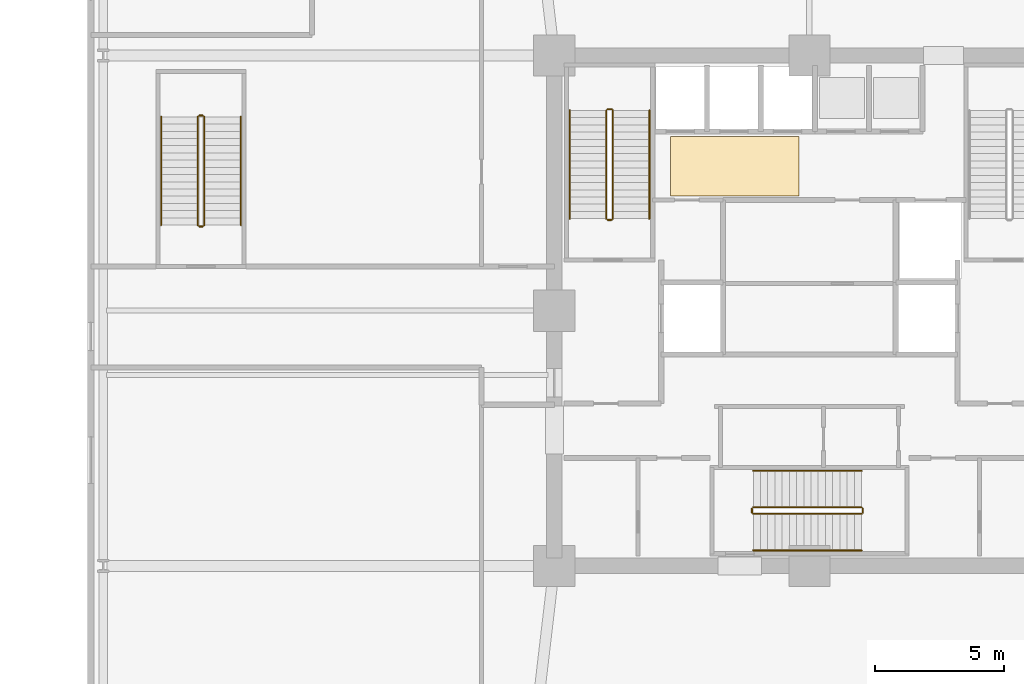
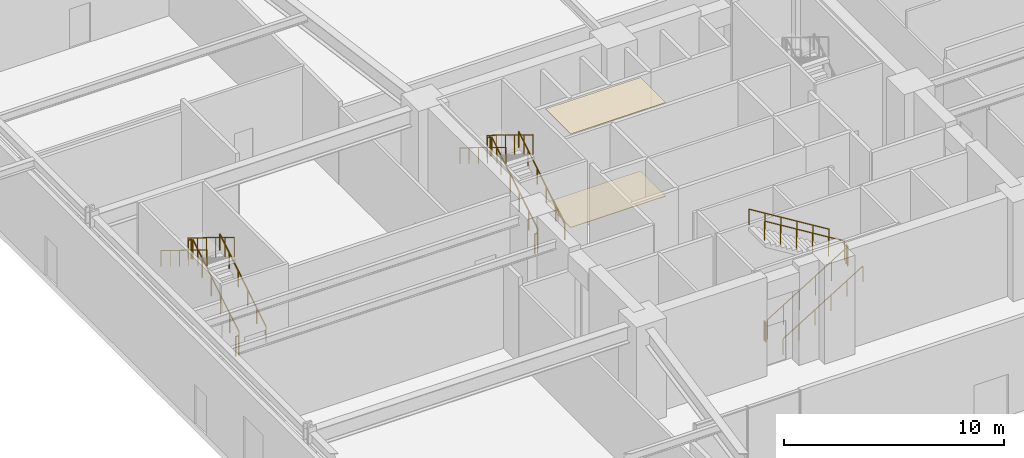
# One storey, part 22 of 24: 18 railings, 2 coverings.
"""IFC4 building model written with IfcOpenShell, lengths in metres."""

import ifcopenshell
import ifcopenshell.guid

model = None  # the IFC model being written
_history = None  # IfcOwnerHistory: only IFC2X3 demands one
_inside = {}  # id of a spatial element -> (the spatial element, [elements in it])
_under = {}  # id of a project, library or spatial element -> (it, [spatial elements below it])
_declared = {}  # id of a project -> (the project, [libraries it declares])
_typed = {}  # id of a type object -> (the type object, [elements of that type])
_made_of = {}  # id of a material, layer set ... -> (it, [elements and type objects made of it])


def new_model(schema):
    """Start an empty IFC model of exactly this schema.

    Asked for "IFC4X3", IfcOpenShell would pick the latest addendum, in which some entities
    have other attributes; the version numbers below select the first issue.
    IFC2X3 requires an IfcOwnerHistory on every rooted entity: one is made here for all.
    """
    global model, _history
    if schema == "IFC4X3":
        model = ifcopenshell.file(schema_version=(4, 3, 0, 0))
    else:
        model = ifcopenshell.file(schema=schema)
    _inside.clear()
    _under.clear()
    _declared.clear()
    _typed.clear()
    _made_of.clear()
    _history = None
    if model.schema == "IFC2X3":
        org = make("IfcOrganization", Name="unknown")
        user = make(
            "IfcPersonAndOrganization",
            ThePerson=make("IfcPerson", FamilyName="unknown"),
            TheOrganization=org,
        )
        app = make(
            "IfcApplication",
            ApplicationDeveloper=org,
            Version="unknown",
            ApplicationFullName="unknown",
            ApplicationIdentifier="unknown",
        )
        _history = make(
            "IfcOwnerHistory",
            OwningUser=user,
            OwningApplication=app,
            ChangeAction="ADDED",
            CreationDate=0,
        )
    return model


def make(cls, **values):
    """One entity of the class cls with the attributes given. An attribute that is None is left unset."""
    return model.create_entity(
        cls, **{name: value for name, value in values.items() if value is not None}
    )


def rooted(cls, **values):
    """An entity with a GlobalId (a new one), such as an element, a storey or a relation."""
    return make(cls, GlobalId=ifcopenshell.guid.new(), OwnerHistory=_history, **values)


def si_unit(unit_type, name, prefix=None):
    """IfcSIUnit, for example si_unit("LENGTHUNIT", "METRE", prefix="MILLI")."""
    return make("IfcSIUnit", UnitType=unit_type, Prefix=prefix, Name=name)


def assignment(units):
    """IfcUnitAssignment: the units of a project."""
    return None if units is None else make("IfcUnitAssignment", Units=units)


def point(xyz):
    """IfcCartesianPoint."""
    return None if xyz is None else make("IfcCartesianPoint", Coordinates=xyz)


def direction(xyz):
    """IfcDirection."""
    return None if xyz is None else make("IfcDirection", DirectionRatios=xyz)


def frame(location, z_axis=None, x_axis=None):
    """IfcAxis2Placement3D, a coordinate frame: its origin and axes. An axis left out is left unset."""
    return make(
        "IfcAxis2Placement3D",
        Location=point(location),
        Axis=direction(z_axis),
        RefDirection=direction(x_axis),
    )


def frame_2d(location, x_axis=None):
    """IfcAxis2Placement2D, a coordinate frame in the plane: its origin and x axis."""
    return make(
        "IfcAxis2Placement2D", Location=point(location), RefDirection=direction(x_axis)
    )


def origin():
    """The frame at (0, 0, 0) with its axes left unset."""
    return frame((0.0, 0.0, 0.0))


def origin_2d():
    """The frame at (0, 0) in the plane with its x axis left unset."""
    return frame_2d((0.0, 0.0))


def place(relative_to, where):
    """IfcLocalPlacement: puts the frame where relative to a parent placement (None: the world)."""
    return make(
        "IfcLocalPlacement", PlacementRelTo=relative_to, RelativePlacement=where
    )


def context(
    kind, dimensions, precision=None, world=None, true_north=None, identifier=None
):
    """IfcGeometricRepresentationContext, for example the 3D "Model" context."""
    return make(
        "IfcGeometricRepresentationContext",
        ContextIdentifier=identifier,
        ContextType=kind,
        CoordinateSpaceDimension=dimensions,
        Precision=precision,
        WorldCoordinateSystem=world,
        TrueNorth=true_north,
    )


def subcontext(parent, identifier, kind, view, scale=None):
    """IfcGeometricRepresentationSubContext, for example "Body" below "Model"."""
    return make(
        "IfcGeometricRepresentationSubContext",
        ContextIdentifier=identifier,
        ContextType=kind,
        ParentContext=parent,
        TargetScale=scale,
        TargetView=view,
    )


def project(units=None, contexts=None):
    """IfcProject with its units and contexts."""
    return rooted(
        "IfcProject",
        Name="project",
        RepresentationContexts=contexts,
        UnitsInContext=assignment(units),
    )


def spatial(cls, under=None, at=None, **own):
    """A site, building, storey or space (cls), placed at a placement, below another one or the project."""
    s = rooted(cls, ObjectPlacement=at, **own)
    if under is not None:
        _under.setdefault(under.id(), (under, []))[1].append(s)
    return s


def polyline(points):
    """IfcPolyline through the points."""
    return make("IfcPolyline", Points=[point(p) for p in points])


def profile(cls, at=None, kind="AREA", **sizes):
    """A parametric profile (cls). Its sizes go by their IFC names, for example OverallWidth=200.0."""
    return make(cls, ProfileType=kind, Position=at, **sizes)


def circle(**sizes):
    """IfcCircleProfileDef."""
    return profile("IfcCircleProfileDef", **sizes)


def outline(outer, holes=None, kind="AREA"):
    """IfcArbitraryClosedProfileDef: a profile drawn as a closed curve; with holes, ...WithVoids."""
    if holes is None:
        return make("IfcArbitraryClosedProfileDef", ProfileType=kind, OuterCurve=outer)
    return make(
        "IfcArbitraryProfileDefWithVoids",
        ProfileType=kind,
        OuterCurve=outer,
        InnerCurves=holes,
    )


def extrude(swept, where, along, depth):
    """IfcExtrudedAreaSolid: the profile swept, set in the frame where, extruded along a direction by depth."""
    return make(
        "IfcExtrudedAreaSolid",
        SweptArea=swept,
        Position=where,
        ExtrudedDirection=direction(along),
        Depth=depth,
    )


def shape(context_of_items, identifier, shape_type, items):
    """IfcShapeRepresentation: the items that make up one representation, for example the "Body"."""
    return make(
        "IfcShapeRepresentation",
        ContextOfItems=context_of_items,
        RepresentationIdentifier=identifier,
        RepresentationType=shape_type,
        Items=items,
    )


def material(Name=None, Category=None):
    """IfcMaterial."""
    return make("IfcMaterial", Name=Name, Category=Category)


def layer(
    of_material, thickness, ventilated=None, Name=None, Category=None, Priority=None
):
    """IfcMaterialLayer: one layer of a wall or slab, of a material (None: an air gap)."""
    return make(
        "IfcMaterialLayer",
        Material=of_material,
        LayerThickness=thickness,
        IsVentilated=ventilated,
        Name=Name,
        Category=Category,
        Priority=Priority,
    )


def layer_set(layers, Name=None):
    """IfcMaterialLayerSet."""
    return make("IfcMaterialLayerSet", MaterialLayers=layers, LayerSetName=Name)


def made_of(thing, what):
    """Note that an element or type object is made of a material, layer set ...; save() writes the relation."""
    if what is not None:
        _made_of.setdefault(what.id(), (what, []))[1].append(thing)
    return thing


def type_object(cls, material=None, **own):
    """A type object (cls), such as IfcWallType, which elements share."""
    return made_of(rooted(cls, **own), material)


def element(
    cls,
    number,
    at=None,
    inside=None,
    cuts=None,
    type_object=None,
    material=None,
    context=None,
    identifier="Body",
    shape_type=None,
    held_by="IfcProductDefinitionShape",
    body=None,
    shapes=None,
    **own,
):
    """One element of the class cls, such as IfcWall. Its Tag is "e" and its number.

    at: its placement. inside: the storey or other place that contains it. cuts: it is an
    opening in that element (IfcRelVoidsElement). A single representation is given by context,
    identifier, shape_type and body (its items); several are given by shapes. held_by: the class
    of the entity that holds the representations. save() writes the other relations.
    """
    e = rooted(cls, Tag="e%d" % number, ObjectPlacement=at, **own)
    if body is not None:
        shapes = [shape(context, identifier, shape_type, body)]
    if shapes is not None:
        e.Representation = make(held_by, Representations=shapes)
    if inside is not None:
        _inside.setdefault(inside.id(), (inside, []))[1].append(e)
    if cuts is not None:
        rooted(
            "IfcRelVoidsElement", RelatingBuildingElement=cuts, RelatedOpeningElement=e
        )
    if type_object is not None:
        _typed.setdefault(type_object.id(), (type_object, []))[1].append(e)
    return made_of(e, material)


def aggregate(whole, parts):
    """IfcRelAggregates: a whole, such as a stair, and the parts it consists of."""
    return rooted("IfcRelAggregates", RelatingObject=whole, RelatedObjects=parts)


def save(model, path):
    """Write the relations noted so far, then the file.

    IfcRelAggregates (storeys below a building ...), IfcRelContainedInSpatialStructure (elements
    in a storey), IfcRelDefinesByType, IfcRelAssociatesMaterial and IfcRelDeclares: one each for
    every whole, place, type object, material and project.
    """
    for whole, parts in _under.values():
        aggregate(whole, parts)
    for where, things in _inside.values():
        rooted(
            "IfcRelContainedInSpatialStructure",
            RelatedElements=things,
            RelatingStructure=where,
        )
    for kind, things in _typed.values():
        rooted("IfcRelDefinesByType", RelatedObjects=things, RelatingType=kind)
    for what, things in _made_of.values():
        rooted("IfcRelAssociatesMaterial", RelatedObjects=things, RelatingMaterial=what)
    for by, libraries in _declared.values():
        rooted("IfcRelDeclares", RelatingContext=by, RelatedDefinitions=libraries)
    model.write(path)


model = new_model("IFC4")

# Units and contexts
model_context = context("Model", 3, precision=1e-05, world=origin(), true_north=direction((0.0, 1.0)))
body_context = subcontext(model_context, "Body", "Model", "MODEL_VIEW")
ifc_project = project(units=[si_unit("LENGTHUNIT", "METRE"), si_unit("AREAUNIT", "SQUARE_METRE"), si_unit("VOLUMEUNIT", "CUBIC_METRE"), si_unit("PLANEANGLEUNIT", "RADIAN"), si_unit("MASSUNIT", "GRAM", prefix="KILO")], contexts=[model_context])

# Site, building, storey
site_placement = place(None, origin())
site = spatial("IfcSite", under=ifc_project, at=site_placement, CompositionType="ELEMENT")
building_placement = place(site_placement, origin())
building = spatial("IfcBuilding", under=site, at=building_placement, Name="Kolvaren Belvedere", CompositionType="ELEMENT")
storey_placement = place(building_placement, origin())
storey = spatial("IfcBuildingStorey", under=building, at=storey_placement, Name="L01", CompositionType="ELEMENT", Elevation=0.0)

# Coverings
ifc_material_1 = material(Name="Acoustic perforated gypsum board", Category="gypsum")
ifc_layer_1 = layer(ifc_material_1, 0.02490234375)
ifc_layer_set_1 = layer_set([ifc_layer_1], Name="Acoustic perforated gypsum board")
covering_type_1 = type_object("IfcCoveringType", Name="COV-CEIL-GYP", PredefinedType="CEILING", material=ifc_layer_set_1)
covering_1_placement = place(storey_placement, frame((0.0, 0.0, 5.195068359375)))
element("IfcCovering", 1, at=covering_1_placement, inside=storey, type_object=covering_type_1, Name="L01 Lift Lobby Acoustic Baffle Ceiling", PredefinedType="CEILING", context=body_context, shape_type="SweptSolid", body=[
    extrude(outline(polyline([(-5.39990234375, 4.449951171875), (-0.39990234375, 4.449951171875), (-0.39990234375, 6.75), (-5.39990234375, 6.75), (-5.39990234375, 4.449951171875)])), origin(), (0.0, 0.0, 1.0), 0.02490234375),
])
ifc_material_2 = material(Name="Honed Cascade basalt stone", Category="masonry")
ifc_layer_2 = layer(ifc_material_2, 0.02490234375)
ifc_layer_set_2 = layer_set([ifc_layer_2], Name="Honed Cascade basalt stone")
covering_type_2 = type_object("IfcCoveringType", Name="COV-FLR-STONE", PredefinedType="FLOORING", material=ifc_layer_set_2)
covering_2_placement = place(storey_placement, origin())
element("IfcCovering", 2, at=covering_2_placement, inside=storey, type_object=covering_type_2, Name="L01 Lift Lobby Finish Flooring", PredefinedType="FLOORING", context=body_context, shape_type="SweptSolid", body=[
    extrude(outline(polyline([(-5.39990234375, 4.449951171875), (-0.39990234375, 4.449951171875), (-0.39990234375, 6.75), (-5.39990234375, 6.75), (-5.39990234375, 4.449951171875)])), origin(), (0.0, 0.0, 1.0), 0.02490234375),
])

# Railings
ifc_material_3 = material(Name="Brushed stainless-steel handrail", Category="steel")
railing_type_1 = type_object("IfcRailingType", Name="RL-HANDRAIL-920", PredefinedType="HANDRAIL", material=ifc_material_3)
railing_1_placement = place(storey_placement, frame((-6.2099609375, 3.570068359375, 0.171875)))
element("IfcRailing", 3, at=railing_1_placement, inside=storey, type_object=railing_type_1, Name="L01 ST-1 stair handrail 1", PredefinedType="HANDRAIL", context=body_context, shape_type="SweptSolid", body=[
    extrude(circle(Radius=0.02392578125, at=origin_2d()), frame((0.0, 0.0, 0.8759765625), z_axis=(0.0, 0.852242915053, 0.523146264196), x_axis=(-1.0, 0.0, 0.0)), (0.0, 0.0, 1.0), 4.92822265625),
    extrude(circle(Radius=0.02099609375, at=origin_2d()), origin(), (0.0, 0.0, 1.0), 0.851806640625),
    extrude(circle(Radius=0.02099609375, at=origin_2d()), frame((0.0, 0.840087890625, 0.515625)), (0.0, 0.0, 1.0), 0.851806640625),
    extrude(circle(Radius=0.02099609375, at=origin_2d()), frame((0.0, 1.679931640625, 1.03125)), (0.0, 0.0, 1.0), 0.851806640625),
    extrude(circle(Radius=0.02099609375, at=origin_2d()), frame((0.0, 2.52001953125, 1.546875)), (0.0, 0.0, 1.0), 0.851806640625),
    extrude(circle(Radius=0.02099609375, at=origin_2d()), frame((0.0, 3.35986328125, 2.0625)), (0.0, 0.0, 1.0), 0.851806640625),
    extrude(circle(Radius=0.02099609375, at=origin_2d()), frame((0.0, 4.199951171875, 2.578125)), (0.0, 0.0, 1.0), 0.851806640625),
])
railing_2_placement = place(storey_placement, frame((-9.300048828125, 7.77001953125, 2.921875)))
element("IfcRailing", 4, at=railing_2_placement, inside=storey, type_object=railing_type_1, Name="L01 ST-1 stair handrail 2", PredefinedType="HANDRAIL", context=body_context, shape_type="SweptSolid", body=[
    extrude(circle(Radius=0.02392578125, at=origin_2d()), frame((0.0, 0.0, 0.8759765625), z_axis=(0.0, -0.852242915053, 0.523146264196), x_axis=(1.0, 0.0, 0.0)), (0.0, 0.0, 1.0), 4.92822265625),
    extrude(circle(Radius=0.02099609375, at=origin_2d()), origin(), (0.0, 0.0, 1.0), 0.851806640625),
    extrude(circle(Radius=0.02099609375, at=origin_2d()), frame((0.0, -0.840087890625, 0.515625)), (0.0, 0.0, 1.0), 0.851806640625),
    extrude(circle(Radius=0.02099609375, at=origin_2d()), frame((0.0, -1.679931640625, 1.03125)), (0.0, 0.0, 1.0), 0.851806640625),
    extrude(circle(Radius=0.02099609375, at=origin_2d()), frame((0.0, -2.52001953125, 1.546875)), (0.0, 0.0, 1.0), 0.851806640625),
    extrude(circle(Radius=0.02099609375, at=origin_2d()), frame((0.0, -3.35986328125, 2.0625)), (0.0, 0.0, 1.0), 0.851806640625),
    extrude(circle(Radius=0.02099609375, at=origin_2d()), frame((0.0, -4.199951171875, 2.578125)), (0.0, 0.0, 1.0), 0.851806640625),
])
railing_3_placement = place(storey_placement, frame((-2.179931640625, -9.300048828125, 0.171875)))
element("IfcRailing", 5, at=railing_3_placement, inside=storey, type_object=railing_type_1, Name="L01 ST-3 stair handrail 1", PredefinedType="HANDRAIL", context=body_context, shape_type="SweptSolid", body=[
    extrude(circle(Radius=0.02392578125, at=origin_2d()), frame((0.0, 0.0, 0.8759765625), z_axis=(0.852242915053, 0.0, 0.523146264196), x_axis=(0.0, 1.0, 0.0)), (0.0, 0.0, 1.0), 4.92822265625),
    extrude(circle(Radius=0.02099609375, at=origin_2d()), origin(), (0.0, 0.0, 1.0), 0.851806640625),
    extrude(circle(Radius=0.02099609375, at=origin_2d()), frame((0.840087890625, 0.0, 0.515625)), (0.0, 0.0, 1.0), 0.851806640625),
    extrude(circle(Radius=0.02099609375, at=origin_2d()), frame((1.679931640625, 0.0, 1.03125)), (0.0, 0.0, 1.0), 0.851806640625),
    extrude(circle(Radius=0.02099609375, at=origin_2d()), frame((2.52001953125, 0.0, 1.546875)), (0.0, 0.0, 1.0), 0.851806640625),
    extrude(circle(Radius=0.02099609375, at=origin_2d()), frame((3.35986328125, 0.0, 2.0625)), (0.0, 0.0, 1.0), 0.851806640625),
    extrude(circle(Radius=0.02099609375, at=origin_2d()), frame((4.199951171875, 0.0, 2.578125)), (0.0, 0.0, 1.0), 0.851806640625),
])
railing_4_placement = place(storey_placement, frame((2.02001953125, -6.2099609375, 2.921875)))
element("IfcRailing", 6, at=railing_4_placement, inside=storey, type_object=railing_type_1, Name="L01 ST-3 stair handrail 2", PredefinedType="HANDRAIL", context=body_context, shape_type="SweptSolid", body=[
    extrude(circle(Radius=0.02392578125, at=origin_2d()), frame((0.0, 0.0, 0.8759765625), z_axis=(-0.852242915053, 0.0, 0.523146264196), x_axis=(0.0, -1.0, 0.0)), (0.0, 0.0, 1.0), 4.92822265625),
    extrude(circle(Radius=0.02099609375, at=origin_2d()), origin(), (0.0, 0.0, 1.0), 0.851806640625),
    extrude(circle(Radius=0.02099609375, at=origin_2d()), frame((-0.840087890625, 0.0, 0.515625)), (0.0, 0.0, 1.0), 0.851806640625),
    extrude(circle(Radius=0.02099609375, at=origin_2d()), frame((-1.679931640625, 0.0, 1.03125)), (0.0, 0.0, 1.0), 0.851806640625),
    extrude(circle(Radius=0.02099609375, at=origin_2d()), frame((-2.52001953125, 0.0, 1.546875)), (0.0, 0.0, 1.0), 0.851806640625),
    extrude(circle(Radius=0.02099609375, at=origin_2d()), frame((-3.35986328125, 0.0, 2.0625)), (0.0, 0.0, 1.0), 0.851806640625),
    extrude(circle(Radius=0.02099609375, at=origin_2d()), frame((-4.199951171875, 0.0, 2.578125)), (0.0, 0.0, 1.0), 0.851806640625),
])
railing_5_placement = place(storey_placement, frame((-22.06005859375, 3.320068359375, 0.171875)))
element("IfcRailing", 7, at=railing_5_placement, inside=storey, type_object=railing_type_1, Name="L01 ST-P1 stair handrail 1", PredefinedType="HANDRAIL", context=body_context, shape_type="SweptSolid", body=[
    extrude(circle(Radius=0.02392578125, at=origin_2d()), frame((0.0, 0.0, 0.8759765625), z_axis=(0.0, 0.852242915053, 0.523146264196), x_axis=(-1.0, 0.0, 0.0)), (0.0, 0.0, 1.0), 4.92822265625),
    extrude(circle(Radius=0.02099609375, at=origin_2d()), origin(), (0.0, 0.0, 1.0), 0.851806640625),
    extrude(circle(Radius=0.02099609375, at=origin_2d()), frame((0.0, 0.840087890625, 0.515625)), (0.0, 0.0, 1.0), 0.851806640625),
    extrude(circle(Radius=0.02099609375, at=origin_2d()), frame((0.0, 1.679931640625, 1.03125)), (0.0, 0.0, 1.0), 0.851806640625),
    extrude(circle(Radius=0.02099609375, at=origin_2d()), frame((0.0, 2.52001953125, 1.546875)), (0.0, 0.0, 1.0), 0.851806640625),
    extrude(circle(Radius=0.02099609375, at=origin_2d()), frame((0.0, 3.35986328125, 2.0625)), (0.0, 0.0, 1.0), 0.851806640625),
    extrude(circle(Radius=0.02099609375, at=origin_2d()), frame((0.0, 4.199951171875, 2.578125)), (0.0, 0.0, 1.0), 0.851806640625),
])
railing_6_placement = place(storey_placement, frame((-25.14990234375, 7.52001953125, 2.921875)))
element("IfcRailing", 8, at=railing_6_placement, inside=storey, type_object=railing_type_1, Name="L01 ST-P1 stair handrail 2", PredefinedType="HANDRAIL", context=body_context, shape_type="SweptSolid", body=[
    extrude(circle(Radius=0.02392578125, at=origin_2d()), frame((0.0, 0.0, 0.8759765625), z_axis=(0.0, -0.852242915053, 0.523146264196), x_axis=(1.0, 0.0, 0.0)), (0.0, 0.0, 1.0), 4.92822265625),
    extrude(circle(Radius=0.02099609375, at=origin_2d()), origin(), (0.0, 0.0, 1.0), 0.851806640625),
    extrude(circle(Radius=0.02099609375, at=origin_2d()), frame((0.0, -0.840087890625, 0.515625)), (0.0, 0.0, 1.0), 0.851806640625),
    extrude(circle(Radius=0.02099609375, at=origin_2d()), frame((0.0, -1.679931640625, 1.03125)), (0.0, 0.0, 1.0), 0.851806640625),
    extrude(circle(Radius=0.02099609375, at=origin_2d()), frame((0.0, -2.52001953125, 1.546875)), (0.0, 0.0, 1.0), 0.851806640625),
    extrude(circle(Radius=0.02099609375, at=origin_2d()), frame((0.0, -3.35986328125, 2.0625)), (0.0, 0.0, 1.0), 0.851806640625),
    extrude(circle(Radius=0.02099609375, at=origin_2d()), frame((0.0, -4.199951171875, 2.578125)), (0.0, 0.0, 1.0), 0.851806640625),
])
ifc_material_4 = material(Name="Painted tubular steel stair guard", Category="steel")
railing_type_2 = type_object("IfcRailingType", Name="RL-STGUARD-1100", PredefinedType="GUARDRAIL", material=ifc_material_4)
railing_7_placement = place(storey_placement, frame((-7.6298828125, 3.570068359375, 0.171875)))
element("IfcRailing", 9, at=railing_7_placement, inside=storey, type_object=railing_type_2, Name="L01 ST-1 stair guard 1", PredefinedType="GUARDRAIL", context=body_context, shape_type="SweptSolid", body=[
    extrude(circle(Radius=0.02392578125, at=origin_2d()), frame((0.0, 0.0, 1.076171875), z_axis=(0.0, 0.852242915053, 0.523146264196), x_axis=(-1.0, 0.0, 0.0)), (0.0, 0.0, 1.0), 4.92822265625),
    extrude(circle(Radius=0.02099609375, at=origin_2d()), origin(), (0.0, 0.0, 1.0), 1.052001953125),
    extrude(circle(Radius=0.02099609375, at=origin_2d()), frame((0.0, 0.840087890625, 0.515625)), (0.0, 0.0, 1.0), 1.052001953125),
    extrude(circle(Radius=0.02099609375, at=origin_2d()), frame((0.0, 1.679931640625, 1.03125)), (0.0, 0.0, 1.0), 1.052001953125),
    extrude(circle(Radius=0.02099609375, at=origin_2d()), frame((0.0, 2.52001953125, 1.546875)), (0.0, 0.0, 1.0), 1.052001953125),
    extrude(circle(Radius=0.02099609375, at=origin_2d()), frame((0.0, 3.35986328125, 2.0625)), (0.0, 0.0, 1.0), 1.052001953125),
    extrude(circle(Radius=0.02099609375, at=origin_2d()), frame((0.0, 4.199951171875, 2.578125)), (0.0, 0.0, 1.0), 1.052001953125),
])
railing_8_placement = place(storey_placement, frame((-7.679931640625, 7.820068359375, 2.75)))
element("IfcRailing", 10, at=railing_8_placement, inside=storey, type_object=railing_type_2, Name="L01 ST-1 stair guard 2", PredefinedType="GUARDRAIL", context=body_context, shape_type="SweptSolid", body=[
    extrude(circle(Radius=0.02392578125, at=origin_2d()), frame((0.0, 0.0, 1.076171875), z_axis=(-1.0, 0.0, 0.0), x_axis=(0.0, -1.0, 0.0)), (0.0, 0.0, 1.0), 0.150146484375),
    extrude(circle(Radius=0.02099609375, at=origin_2d()), origin(), (0.0, 0.0, 1.0), 1.052001953125),
    extrude(circle(Radius=0.02099609375, at=origin_2d()), frame((-0.150146484375, 0.0, 0.0)), (0.0, 0.0, 1.0), 1.052001953125),
])
railing_9_placement = place(storey_placement, frame((-7.8798828125, 7.77001953125, 2.921875)))
element("IfcRailing", 11, at=railing_9_placement, inside=storey, type_object=railing_type_2, Name="L01 ST-1 stair guard 3", PredefinedType="GUARDRAIL", context=body_context, shape_type="SweptSolid", body=[
    extrude(circle(Radius=0.02392578125, at=origin_2d()), frame((0.0, 0.0, 1.076171875), z_axis=(0.0, -0.852242915053, 0.523146264196), x_axis=(1.0, 0.0, 0.0)), (0.0, 0.0, 1.0), 4.92822265625),
    extrude(circle(Radius=0.02099609375, at=origin_2d()), origin(), (0.0, 0.0, 1.0), 1.052001953125),
    extrude(circle(Radius=0.02099609375, at=origin_2d()), frame((0.0, -0.840087890625, 0.515625)), (0.0, 0.0, 1.0), 1.052001953125),
    extrude(circle(Radius=0.02099609375, at=origin_2d()), frame((0.0, -1.679931640625, 1.03125)), (0.0, 0.0, 1.0), 1.052001953125),
    extrude(circle(Radius=0.02099609375, at=origin_2d()), frame((0.0, -2.52001953125, 1.546875)), (0.0, 0.0, 1.0), 1.052001953125),
    extrude(circle(Radius=0.02099609375, at=origin_2d()), frame((0.0, -3.35986328125, 2.0625)), (0.0, 0.0, 1.0), 1.052001953125),
    extrude(circle(Radius=0.02099609375, at=origin_2d()), frame((0.0, -4.199951171875, 2.578125)), (0.0, 0.0, 1.0), 1.052001953125),
])
railing_10_placement = place(storey_placement, frame((-7.679931640625, 3.52001953125, 0.0)))
element("IfcRailing", 12, at=railing_10_placement, inside=storey, type_object=railing_type_2, Name="L01 ST-1 stair guard 4", PredefinedType="GUARDRAIL", context=body_context, shape_type="SweptSolid", body=[
    extrude(circle(Radius=0.02392578125, at=origin_2d()), frame((0.0, 0.0, 1.076171875), z_axis=(-1.0, 0.0, 0.0), x_axis=(0.0, -1.0, 0.0)), (0.0, 0.0, 1.0), 0.150146484375),
    extrude(circle(Radius=0.02099609375, at=origin_2d()), origin(), (0.0, 0.0, 1.0), 1.052001953125),
    extrude(circle(Radius=0.02099609375, at=origin_2d()), frame((-0.150146484375, 0.0, 0.0)), (0.0, 0.0, 1.0), 1.052001953125),
])
railing_11_placement = place(storey_placement, frame((-2.179931640625, -7.8798828125, 0.171875)))
element("IfcRailing", 13, at=railing_11_placement, inside=storey, type_object=railing_type_2, Name="L01 ST-3 stair guard 1", PredefinedType="GUARDRAIL", context=body_context, shape_type="SweptSolid", body=[
    extrude(circle(Radius=0.02392578125, at=origin_2d()), frame((0.0, 0.0, 1.076171875), z_axis=(0.852242915053, 0.0, 0.523146264196), x_axis=(0.0, 1.0, 0.0)), (0.0, 0.0, 1.0), 4.92822265625),
    extrude(circle(Radius=0.02099609375, at=origin_2d()), origin(), (0.0, 0.0, 1.0), 1.052001953125),
    extrude(circle(Radius=0.02099609375, at=origin_2d()), frame((0.840087890625, 0.0, 0.515625)), (0.0, 0.0, 1.0), 1.052001953125),
    extrude(circle(Radius=0.02099609375, at=origin_2d()), frame((1.679931640625, 0.0, 1.03125)), (0.0, 0.0, 1.0), 1.052001953125),
    extrude(circle(Radius=0.02099609375, at=origin_2d()), frame((2.52001953125, 0.0, 1.546875)), (0.0, 0.0, 1.0), 1.052001953125),
    extrude(circle(Radius=0.02099609375, at=origin_2d()), frame((3.35986328125, 0.0, 2.0625)), (0.0, 0.0, 1.0), 1.052001953125),
    extrude(circle(Radius=0.02099609375, at=origin_2d()), frame((4.199951171875, 0.0, 2.578125)), (0.0, 0.0, 1.0), 1.052001953125),
])
railing_12_placement = place(storey_placement, frame((2.070068359375, -7.830078125, 2.75)))
element("IfcRailing", 14, at=railing_12_placement, inside=storey, type_object=railing_type_2, Name="L01 ST-3 stair guard 2", PredefinedType="GUARDRAIL", context=body_context, shape_type="SweptSolid", body=[
    extrude(circle(Radius=0.02392578125, at=origin_2d()), frame((0.0, 0.0, 1.076171875), z_axis=(0.0, 1.0, 0.0), x_axis=(-1.0, 0.0, 0.0)), (0.0, 0.0, 1.0), 0.150146484375),
    extrude(circle(Radius=0.02099609375, at=origin_2d()), origin(), (0.0, 0.0, 1.0), 1.052001953125),
    extrude(circle(Radius=0.02099609375, at=origin_2d()), frame((0.0, 0.150146484375, 0.0)), (0.0, 0.0, 1.0), 1.052001953125),
])
railing_13_placement = place(storey_placement, frame((2.02001953125, -7.6298828125, 2.921875)))
element("IfcRailing", 15, at=railing_13_placement, inside=storey, type_object=railing_type_2, Name="L01 ST-3 stair guard 3", PredefinedType="GUARDRAIL", context=body_context, shape_type="SweptSolid", body=[
    extrude(circle(Radius=0.02392578125, at=origin_2d()), frame((0.0, 0.0, 1.076171875), z_axis=(-0.852242915053, 0.0, 0.523146264196), x_axis=(0.0, -1.0, 0.0)), (0.0, 0.0, 1.0), 4.92822265625),
    extrude(circle(Radius=0.02099609375, at=origin_2d()), origin(), (0.0, 0.0, 1.0), 1.052001953125),
    extrude(circle(Radius=0.02099609375, at=origin_2d()), frame((-0.840087890625, 0.0, 0.515625)), (0.0, 0.0, 1.0), 1.052001953125),
    extrude(circle(Radius=0.02099609375, at=origin_2d()), frame((-1.679931640625, 0.0, 1.03125)), (0.0, 0.0, 1.0), 1.052001953125),
    extrude(circle(Radius=0.02099609375, at=origin_2d()), frame((-2.52001953125, 0.0, 1.546875)), (0.0, 0.0, 1.0), 1.052001953125),
    extrude(circle(Radius=0.02099609375, at=origin_2d()), frame((-3.35986328125, 0.0, 2.0625)), (0.0, 0.0, 1.0), 1.052001953125),
    extrude(circle(Radius=0.02099609375, at=origin_2d()), frame((-4.199951171875, 0.0, 2.578125)), (0.0, 0.0, 1.0), 1.052001953125),
])
railing_14_placement = place(storey_placement, frame((-2.22998046875, -7.830078125, 0.0)))
element("IfcRailing", 16, at=railing_14_placement, inside=storey, type_object=railing_type_2, Name="L01 ST-3 stair guard 4", PredefinedType="GUARDRAIL", context=body_context, shape_type="SweptSolid", body=[
    extrude(circle(Radius=0.02392578125, at=origin_2d()), frame((0.0, 0.0, 1.076171875), z_axis=(0.0, 1.0, 0.0), x_axis=(-1.0, 0.0, 0.0)), (0.0, 0.0, 1.0), 0.150146484375),
    extrude(circle(Radius=0.02099609375, at=origin_2d()), origin(), (0.0, 0.0, 1.0), 1.052001953125),
    extrude(circle(Radius=0.02099609375, at=origin_2d()), frame((0.0, 0.150146484375, 0.0)), (0.0, 0.0, 1.0), 1.052001953125),
])
railing_15_placement = place(storey_placement, frame((-23.47998046875, 3.320068359375, 0.171875)))
element("IfcRailing", 17, at=railing_15_placement, inside=storey, type_object=railing_type_2, Name="L01 ST-P1 stair guard 1", PredefinedType="GUARDRAIL", context=body_context, shape_type="SweptSolid", body=[
    extrude(circle(Radius=0.02392578125, at=origin_2d()), frame((0.0, 0.0, 1.076171875), z_axis=(0.0, 0.852242915053, 0.523146264196), x_axis=(-1.0, 0.0, 0.0)), (0.0, 0.0, 1.0), 4.92822265625),
    extrude(circle(Radius=0.02099609375, at=origin_2d()), origin(), (0.0, 0.0, 1.0), 1.052001953125),
    extrude(circle(Radius=0.02099609375, at=origin_2d()), frame((0.0, 0.840087890625, 0.515625)), (0.0, 0.0, 1.0), 1.052001953125),
    extrude(circle(Radius=0.02099609375, at=origin_2d()), frame((0.0, 1.679931640625, 1.03125)), (0.0, 0.0, 1.0), 1.052001953125),
    extrude(circle(Radius=0.02099609375, at=origin_2d()), frame((0.0, 2.52001953125, 1.546875)), (0.0, 0.0, 1.0), 1.052001953125),
    extrude(circle(Radius=0.02099609375, at=origin_2d()), frame((0.0, 3.35986328125, 2.0625)), (0.0, 0.0, 1.0), 1.052001953125),
    extrude(circle(Radius=0.02099609375, at=origin_2d()), frame((0.0, 4.199951171875, 2.578125)), (0.0, 0.0, 1.0), 1.052001953125),
])
railing_16_placement = place(storey_placement, frame((-23.530029296875, 7.570068359375, 2.75)))
element("IfcRailing", 18, at=railing_16_placement, inside=storey, type_object=railing_type_2, Name="L01 ST-P1 stair guard 2", PredefinedType="GUARDRAIL", context=body_context, shape_type="SweptSolid", body=[
    extrude(circle(Radius=0.02392578125, at=origin_2d()), frame((0.0, 0.0, 1.076171875), z_axis=(-1.0, 0.0, 0.0), x_axis=(0.0, -1.0, 0.0)), (0.0, 0.0, 1.0), 0.14990234375),
    extrude(circle(Radius=0.02099609375, at=origin_2d()), origin(), (0.0, 0.0, 1.0), 1.052001953125),
    extrude(circle(Radius=0.02099609375, at=origin_2d()), frame((-0.14990234375, 0.0, 0.0)), (0.0, 0.0, 1.0), 1.052001953125),
])
railing_17_placement = place(storey_placement, frame((-23.72998046875, 7.52001953125, 2.921875)))
element("IfcRailing", 19, at=railing_17_placement, inside=storey, type_object=railing_type_2, Name="L01 ST-P1 stair guard 3", PredefinedType="GUARDRAIL", context=body_context, shape_type="SweptSolid", body=[
    extrude(circle(Radius=0.02392578125, at=origin_2d()), frame((0.0, 0.0, 1.076171875), z_axis=(0.0, -0.852242915053, 0.523146264196), x_axis=(1.0, 0.0, 0.0)), (0.0, 0.0, 1.0), 4.92822265625),
    extrude(circle(Radius=0.02099609375, at=origin_2d()), origin(), (0.0, 0.0, 1.0), 1.052001953125),
    extrude(circle(Radius=0.02099609375, at=origin_2d()), frame((0.0, -0.840087890625, 0.515625)), (0.0, 0.0, 1.0), 1.052001953125),
    extrude(circle(Radius=0.02099609375, at=origin_2d()), frame((0.0, -1.679931640625, 1.03125)), (0.0, 0.0, 1.0), 1.052001953125),
    extrude(circle(Radius=0.02099609375, at=origin_2d()), frame((0.0, -2.52001953125, 1.546875)), (0.0, 0.0, 1.0), 1.052001953125),
    extrude(circle(Radius=0.02099609375, at=origin_2d()), frame((0.0, -3.35986328125, 2.0625)), (0.0, 0.0, 1.0), 1.052001953125),
    extrude(circle(Radius=0.02099609375, at=origin_2d()), frame((0.0, -4.199951171875, 2.578125)), (0.0, 0.0, 1.0), 1.052001953125),
])
railing_18_placement = place(storey_placement, frame((-23.530029296875, 3.27001953125, 0.0)))
element("IfcRailing", 20, at=railing_18_placement, inside=storey, type_object=railing_type_2, Name="L01 ST-P1 stair guard 4", PredefinedType="GUARDRAIL", context=body_context, shape_type="SweptSolid", body=[
    extrude(circle(Radius=0.02392578125, at=origin_2d()), frame((0.0, 0.0, 1.076171875), z_axis=(-1.0, 0.0, 0.0), x_axis=(0.0, -1.0, 0.0)), (0.0, 0.0, 1.0), 0.14990234375),
    extrude(circle(Radius=0.02099609375, at=origin_2d()), origin(), (0.0, 0.0, 1.0), 1.052001953125),
    extrude(circle(Radius=0.02099609375, at=origin_2d()), frame((-0.14990234375, 0.0, 0.0)), (0.0, 0.0, 1.0), 1.052001953125),
])

save(model, "model.ifc")
